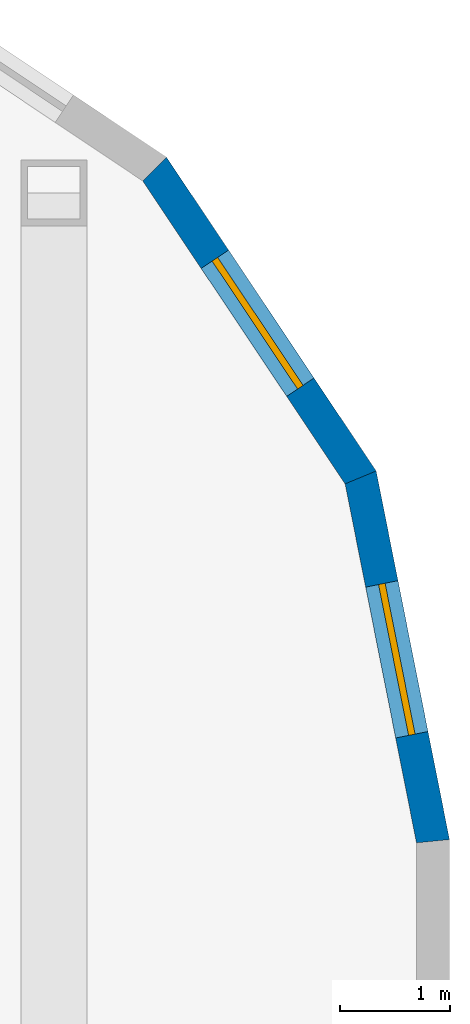
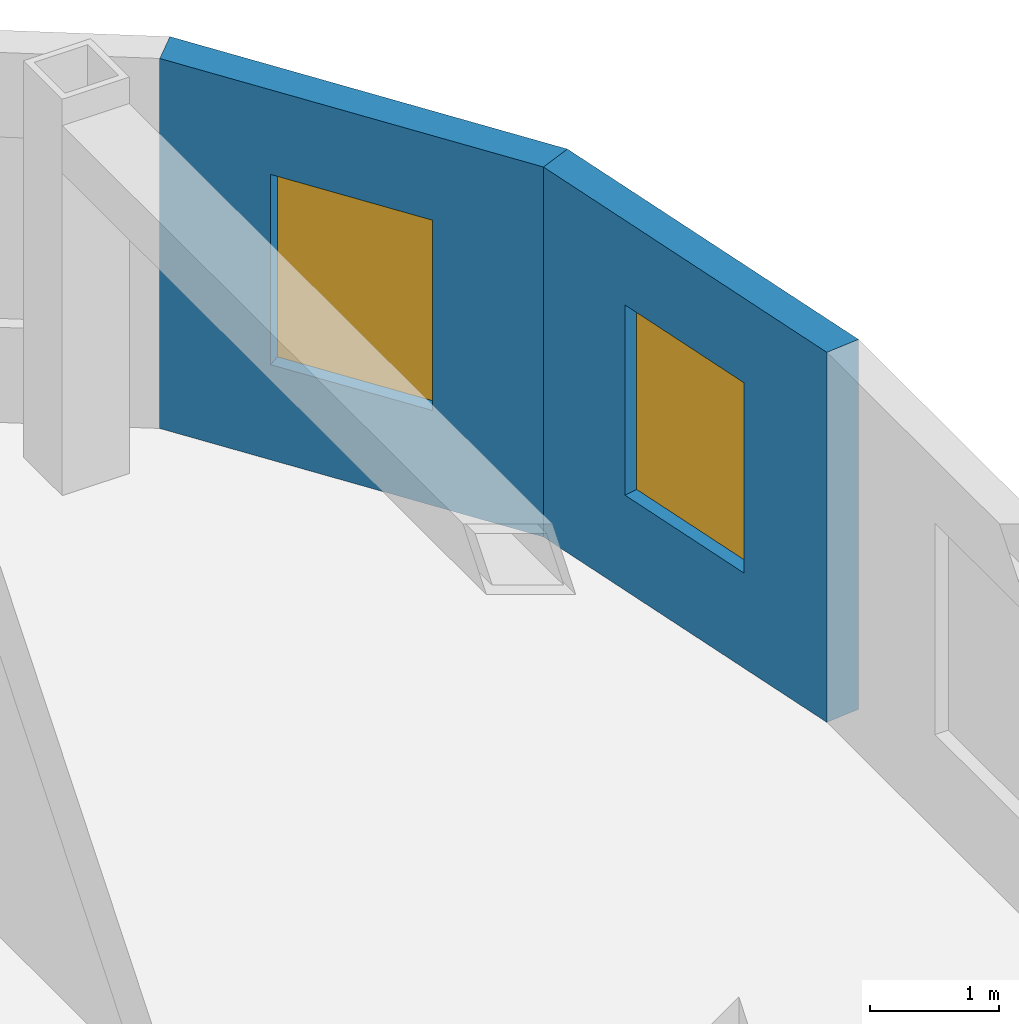
# One storey, part 18 of 23: 2 walls, 2 windows, 2 openings.
"""IFC4 building model written with IfcOpenShell, lengths in metres."""

from ifc_helpers import new_model, si_unit, direction, frame, frame_2d, origin, place, context, subcontext, project, spatial, polyline, rectangle, outline, extrude, material, layer, layer_set, type_object, element, fill, save


model = new_model("IFC4")

# Units and contexts
model_context = context("Model", 3, precision=1e-05, world=origin(), true_north=direction((0.0, 1.0)))
body_context = subcontext(model_context, "Body", "Model", "MODEL_VIEW")
ifc_project = project(units=[si_unit("LENGTHUNIT", "METRE"), si_unit("AREAUNIT", "SQUARE_METRE"), si_unit("VOLUMEUNIT", "CUBIC_METRE"), si_unit("PLANEANGLEUNIT", "RADIAN"), si_unit("MASSUNIT", "GRAM", prefix="KILO")], contexts=[model_context])

# Site, building, storey
site_placement = place(None, origin())
site = spatial("IfcSite", under=ifc_project, at=site_placement, CompositionType="ELEMENT")
building_placement = place(site_placement, origin())
building = spatial("IfcBuilding", under=site, at=building_placement, Name="Orbita Commons", CompositionType="ELEMENT")
storey_placement = place(building_placement, frame((0.0, 0.0, 220.300048828125)))
storey = spatial("IfcBuildingStorey", under=building, at=storey_placement, Name="L54", CompositionType="ELEMENT", Elevation=220.300048828125)

# Wall, opening, window
ifc_material_1 = material(Name="Precast concrete C40/50, white board-marked finish", Category="concrete")
ifc_layer = layer(ifc_material_1, 0.300048828125)
ifc_layer_set = layer_set([ifc_layer], Name="Precast concrete C40/50, white board-marked finish")
wall_type = type_object("IfcWallType", Name="Precast concrete end shield 300", PredefinedType="SOLIDWALL", material=ifc_layer_set)
wall_1_placement = place(storey_placement, frame((75.449951171875, 44.199951171875, 0.0), z_axis=(0.0, 0.0, 1.0), x_axis=(-0.19508664885, 0.980786011034, 0.0)))
wall_1 = element("IfcWall", 1, at=wall_1_placement, inside=storey, type_object=wall_type, Name="End shield NE chord 1 L54", PredefinedType="SOLIDWALL", context=body_context, shape_type="SweptSolid", body=[
    extrude(outline(polyline([(-0.014892578125, -0.14990234375), (3.405029296875, -0.14990234375), (3.345458984375, 0.14990234375), (0.014892578125, 0.14990234375), (-0.014892578125, -0.14990234375)])), origin(), (0.0, 0.0, 1.0), 3.5),
])
opening_1_placement = place(wall_1_placement, frame((0.987548828125, 0.0, 0.89990234375)))
opening_1 = element("IfcOpeningElement", 2, at=opening_1_placement, cuts=wall_1, Name="Opening W02", PredefinedType="OPENING", context=body_context, shape_type="SweptSolid", body=[
    extrude(rectangle(XDim=1.39990234375, YDim=1.800048828125, at=frame_2d((0.699951171875, 0.89990234375))), frame((0.0, 0.159912109375, 0.0), z_axis=(0.0, -1.0, 0.0), x_axis=(1.0, 0.0, 0.0)), (0.0, 0.0, 1.0), 0.320068359375),
])
ifc_material_2 = material(Name="Aluminium frame, clear double glazing", Category="aluminium")
window_type = type_object("IfcWindowType", Name="Deep-set window 1400x1800", PartitioningType="SINGLE_PANEL", PredefinedType="WINDOW", material=ifc_material_2)
window_1_placement = place(opening_1_placement, origin())
window_1 = element("IfcWindow", 3, at=window_1_placement, inside=storey, type_object=window_type, Name="Window L54-NE0", OverallHeight=1.800048828125, OverallWidth=1.39990234375, PartitioningType="SINGLE_PANEL", PredefinedType="WINDOW", context=body_context, shape_type="SweptSolid", body=[
    extrude(rectangle(XDim=1.39990234375, YDim=1.800048828125, at=frame_2d((0.699951171875, 0.89990234375))), frame((0.0, 0.030029296875, 0.0), z_axis=(0.0, -1.0, 0.0), x_axis=(1.0, 0.0, 0.0)), (0.0, 0.0, 1.0), 0.06005859375),
])
fill(opening_1, window_1)

wall_2_placement = place(storey_placement, frame((74.79150390625, 47.51025390625, 0.0), z_axis=(0.0, 0.0, 1.0), x_axis=(-0.555567969291, 0.831471124873, 0.0)))
wall_2 = element("IfcWall", 4, at=wall_2_placement, inside=storey, type_object=wall_type, Name="End shield NE chord 2 L54", PredefinedType="SOLIDWALL", context=body_context, shape_type="SweptSolid", body=[
    extrude(outline(polyline([(-0.02978515625, -0.14990234375), (3.40478515625, -0.14990234375), (3.34521484375, 0.14990234375), (0.02978515625, 0.14990234375), (-0.02978515625, -0.14990234375)])), origin(), (0.0, 0.0, 1.0), 3.5),
])
opening_2_placement = place(wall_2_placement, frame((0.987548828125, 0.0, 0.89990234375)))
opening_2 = element("IfcOpeningElement", 5, at=opening_2_placement, cuts=wall_2, Name="Opening W02", PredefinedType="OPENING", context=body_context, shape_type="SweptSolid", body=[
    extrude(rectangle(XDim=1.39990234375, YDim=1.800048828125, at=frame_2d((0.699951171875, 0.89990234375))), frame((0.0, 0.159912109375, 0.0), z_axis=(0.0, -1.0, 0.0), x_axis=(1.0, 0.0, 0.0)), (0.0, 0.0, 1.0), 0.320068359375),
])
window_2_placement = place(opening_2_placement, origin())
window_2 = element("IfcWindow", 6, at=window_2_placement, inside=storey, type_object=window_type, Name="Window L54-NE1", OverallHeight=1.800048828125, OverallWidth=1.39990234375, PartitioningType="SINGLE_PANEL", PredefinedType="WINDOW", context=body_context, shape_type="SweptSolid", body=[
    extrude(rectangle(XDim=1.39990234375, YDim=1.800048828125, at=frame_2d((0.699951171875, 0.89990234375))), frame((0.0, 0.030029296875, 0.0), z_axis=(0.0, -1.0, 0.0), x_axis=(1.0, 0.0, 0.0)), (0.0, 0.0, 1.0), 0.06005859375),
])
fill(opening_2, window_2)

save(model, "model.ifc")
